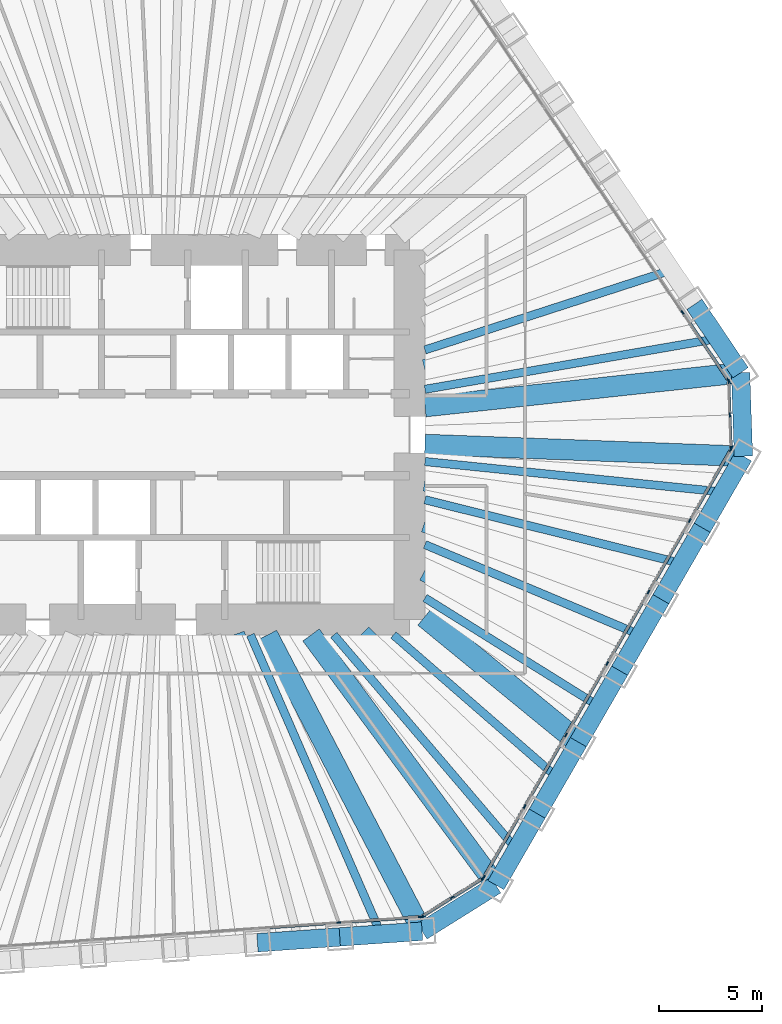
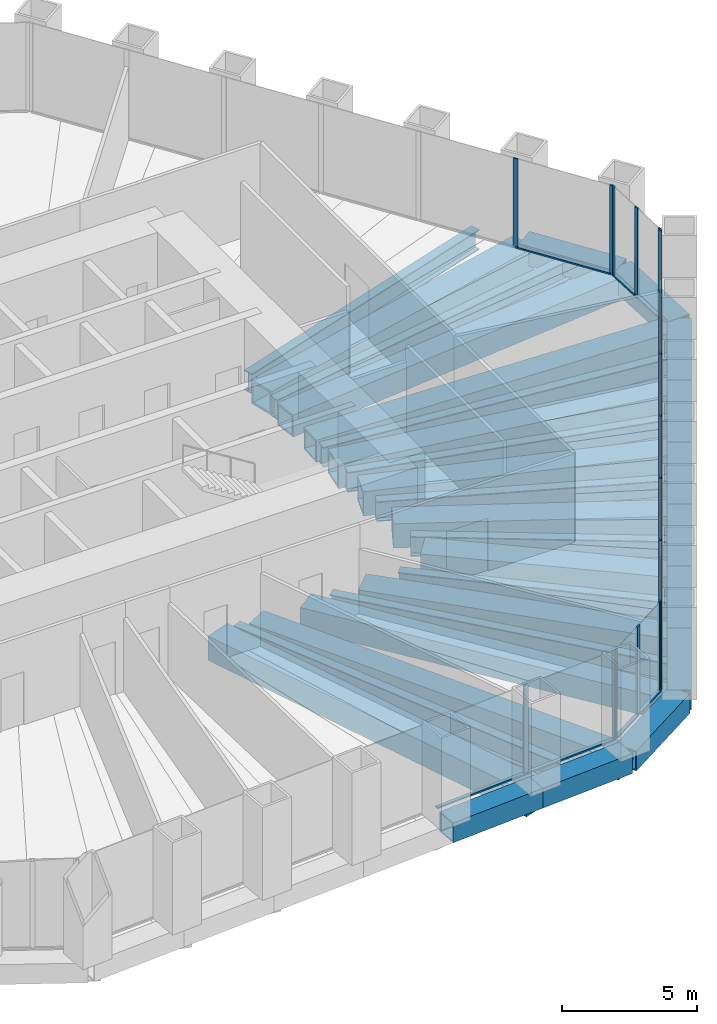
# One storey, part 4 of 12: 31 beams, 30 members, 5 elements without a shape of their own.
"""IFC4 building model written with IfcOpenShell, lengths in metres."""

from ifc_helpers import new_model, si_unit, direction, frame, origin, origin_2d, place, context, subcontext, project, spatial, rectangle, hollow_rectangle, i_section, extrude, material, material_profile, profile_set, type_object, element, aggregate, save


model = new_model("IFC4")

# Units and contexts
model_context = context("Model", 3, precision=1e-05, world=origin(), true_north=direction((0.0, 1.0)))
body_context = subcontext(model_context, "Body", "Model", "MODEL_VIEW")
ifc_project = project(units=[si_unit("LENGTHUNIT", "METRE"), si_unit("AREAUNIT", "SQUARE_METRE"), si_unit("VOLUMEUNIT", "CUBIC_METRE"), si_unit("PLANEANGLEUNIT", "RADIAN"), si_unit("MASSUNIT", "GRAM", prefix="KILO")], contexts=[model_context])

# Site, building, storey
site_placement = place(None, origin())
site = spatial("IfcSite", under=ifc_project, at=site_placement, CompositionType="ELEMENT")
building_placement = place(site_placement, origin())
building = spatial("IfcBuilding", under=site, at=building_placement, Name="Qingtian Harvest Tower", CompositionType="ELEMENT")
storey_placement = place(building_placement, frame((0.0, 0.0, 107.199951171875)))
storey = spatial("IfcBuildingStorey", under=building, at=storey_placement, Name="L21", CompositionType="ELEMENT", Elevation=107.199951171875)

# Beams
ifc_material_1 = material(Name="Steel SN490B", Category="steel")
ifc_material_profile_1 = material_profile(ifc_material_1, i_section(OverallWidth=0.39990234375, OverallDepth=0.89990234375, WebThickness=0.01904296875, FlangeThickness=0.035888671875, at=origin_2d()), Name="H900x400x19x36")
ifc_profile_set_1 = profile_set([ifc_material_profile_1], Name="Steel SN490B")
beam_type_1 = type_object("IfcBeamType", Name="Floor joist J4 H900x400x19x36", PredefinedType="JOIST", material=ifc_profile_set_1)
beam_1_placement = place(storey_placement, frame((24.748291015625, 8.016357421875, -0.619873046875), z_axis=(-0.951335907519, -0.308155790249, 0.0), x_axis=(0.308155790249, -0.951335907519, 0.0)))
element("IfcBeam", 1, at=beam_1_placement, inside=storey, type_object=beam_type_1, Name="Floor joist J4 NE4", PredefinedType="JOIST", context=body_context, shape_type="SweptSolid", body=[
    extrude(i_section(OverallWidth=0.39990234375, OverallDepth=0.89990234375, WebThickness=0.01904296875, FlangeThickness=0.035888671875, at=origin_2d()), origin(), (0.0, 0.0, 1.0), 12.612060546875),
])
beam_2_placement = place(storey_placement, frame((26.99560546875, 4.6845703125, -0.619873046875), z_axis=(-0.985273903188, -0.17098343691, 0.0), x_axis=(0.17098343691, -0.985273903188, 0.0)))
element("IfcBeam", 2, at=beam_2_placement, inside=storey, type_object=beam_type_1, Name="Floor joist J4 NE5", PredefinedType="JOIST", context=body_context, shape_type="SweptSolid", body=[
    extrude(i_section(OverallWidth=0.39990234375, OverallDepth=0.89990234375, WebThickness=0.01904296875, FlangeThickness=0.035888671875, at=origin_2d()), origin(), (0.0, 0.0, 1.0), 14.45849609375),
])
beam_3_placement = place(storey_placement, frame((27.2568359375, -2.7900390625, -0.619873046875), z_axis=(-0.994802418411, 0.101824104826, 0.0), x_axis=(-0.101824104826, -0.994802418411, 0.0)))
element("IfcBeam", 3, at=beam_3_placement, inside=storey, type_object=beam_type_1, Name="Floor joist J4 SE0", PredefinedType="JOIST", context=body_context, shape_type="SweptSolid", body=[
    extrude(i_section(OverallWidth=0.39990234375, OverallDepth=0.89990234375, WebThickness=0.01904296875, FlangeThickness=0.035888671875, at=origin_2d()), origin(), (0.0, 0.0, 1.0), 14.58251953125),
])
beam_4_placement = place(storey_placement, frame((25.247314453125, -6.2705078125, -0.619873046875), z_axis=(-0.970517179244, 0.241031958032, 0.0), x_axis=(-0.241031958032, -0.970517179244, 0.0)))
element("IfcBeam", 4, at=beam_4_placement, inside=storey, type_object=beam_type_1, Name="Floor joist J4 SE1", PredefinedType="JOIST", context=body_context, shape_type="SweptSolid", body=[
    extrude(i_section(OverallWidth=0.39990234375, OverallDepth=0.89990234375, WebThickness=0.01904296875, FlangeThickness=0.035888671875, at=origin_2d()), origin(), (0.0, 0.0, 1.0), 12.876953125),
])
beam_5_placement = place(storey_placement, frame((23.237548828125, -9.751220703125, -0.619873046875), z_axis=(-0.922104219626, 0.386941608189, 0.0), x_axis=(-0.386941608189, -0.922104219626, 0.0)))
element("IfcBeam", 5, at=beam_5_placement, inside=storey, type_object=beam_type_1, Name="Floor joist J4 SE2", PredefinedType="JOIST", context=body_context, shape_type="SweptSolid", body=[
    extrude(i_section(OverallWidth=0.39990234375, OverallDepth=0.89990234375, WebThickness=0.01904296875, FlangeThickness=0.035888671875, at=origin_2d()), origin(), (0.0, 0.0, 1.0), 11.37353515625),
])
beam_6_placement = place(storey_placement, frame((21.22802734375, -13.23193359375, -0.619873046875), z_axis=(-0.848631984892, 0.528983699389, 0.0), x_axis=(-0.528983699389, -0.848631984892, 0.0)))
element("IfcBeam", 6, at=beam_6_placement, inside=storey, type_object=beam_type_1, Name="Floor joist J4 SE3", PredefinedType="JOIST", context=body_context, shape_type="SweptSolid", body=[
    extrude(i_section(OverallWidth=0.39990234375, OverallDepth=0.89990234375, WebThickness=0.01904296875, FlangeThickness=0.035888671875, at=origin_2d()), origin(), (0.0, 0.0, 1.0), 9.990234375),
])
beam_7_placement = place(storey_placement, frame((19.218505859375, -16.71240234375, -0.619873046875), z_axis=(-0.754588679317, 0.656198083697, 0.0), x_axis=(-0.656198083697, -0.754588679317, 0.0)))
element("IfcBeam", 7, at=beam_7_placement, inside=storey, type_object=beam_type_1, Name="Floor joist J4 SE4", PredefinedType="JOIST", context=body_context, shape_type="SweptSolid", body=[
    extrude(i_section(OverallWidth=0.39990234375, OverallDepth=0.89990234375, WebThickness=0.01904296875, FlangeThickness=0.035888671875, at=origin_2d()), origin(), (0.0, 0.0, 1.0), 10.610107421875),
])
beam_8_placement = place(storey_placement, frame((17.208984375, -20.193115234375, -0.619873046875), z_axis=(-0.648631797865, 0.76110235238, 0.0), x_axis=(-0.76110235238, -0.648631797865, 0.0)))
element("IfcBeam", 8, at=beam_8_placement, inside=storey, type_object=beam_type_1, Name="Floor joist J4 SE5", PredefinedType="JOIST", context=body_context, shape_type="SweptSolid", body=[
    extrude(i_section(OverallWidth=0.39990234375, OverallDepth=0.89990234375, WebThickness=0.01904296875, FlangeThickness=0.035888671875, at=origin_2d()), origin(), (0.0, 0.0, 1.0), 13.720947265625),
])
beam_9_placement = place(storey_placement, frame((10.60546875, -24.3193359375, -0.619873046875), z_axis=(-0.399732363577, 0.916631898588, 0.0), x_axis=(-0.916631898588, -0.399732363577, 0.0)))
element("IfcBeam", 9, at=beam_9_placement, inside=storey, type_object=beam_type_1, Name="Floor joist J4 S0", PredefinedType="JOIST", context=body_context, shape_type="SweptSolid", body=[
    extrude(i_section(OverallWidth=0.39990234375, OverallDepth=0.89990234375, WebThickness=0.01904296875, FlangeThickness=0.035888671875, at=origin_2d()), origin(), (0.0, 0.0, 1.0), 15.89453125),
])

# Curtain wall, members
ifc_material_2 = material(Name="Bronze-anodised aluminium curtain wall", Category="aluminium")
curtain_wall_type = type_object("IfcCurtainWallType", Name="Curtain wall CW4 office", PredefinedType="USERDEFINED", material=ifc_material_2)
curtain_wall_1_placement = place(storey_placement, origin())
curtain_wall_1 = element("IfcCurtainWall", 10, at=curtain_wall_1_placement, inside=storey, type_object=curtain_wall_type, Name="Curtain wall CW4 L21 NE0-5", ObjectType="RECESSED CURTAIN WALL", PredefinedType="USERDEFINED")
ifc_material_3 = material(Name="Bronze-anodised aluminium mullion", Category="aluminium")
ifc_material_profile_2 = material_profile(ifc_material_3, rectangle(XDim=0.06494140625, YDim=0.199951171875, at=origin_2d()), Name="AL 65x200")
ifc_profile_set_2 = profile_set([ifc_material_profile_2], Name="Bronze-anodised aluminium mullion")
member_type_1 = type_object("IfcMemberType", Name="Mullion CWM 65x200", PredefinedType="MULLION", material=ifc_profile_set_2)
member_1_placement = place(storey_placement, frame((25.291748046875, 5.958984375, 0.0), z_axis=(0.0, 0.0, 1.0), x_axis=(0.829037572555, 0.559192903471, 0.0)))
member_1 = element("IfcMember", 11, at=member_1_placement, type_object=member_type_1, Name="CW4 mullion 6", PredefinedType="MULLION", context=body_context, shape_type="SweptSolid", body=[
    extrude(rectangle(XDim=0.06494140625, YDim=0.199951171875, at=origin_2d()), origin(), (0.0, 0.0, 1.0), 4.030029296875),
])
member_2_placement = place(storey_placement, frame((27.52099609375, 2.654052734375, 0.0), z_axis=(0.0, 0.0, 1.0), x_axis=(0.829037572555, 0.559192903471, 0.0)))
member_2 = element("IfcMember", 12, at=member_2_placement, type_object=member_type_1, Name="CW4 mullion 7", PredefinedType="MULLION", context=body_context, shape_type="SweptSolid", body=[
    extrude(rectangle(XDim=0.06494140625, YDim=0.199951171875, at=origin_2d()), origin(), (0.0, 0.0, 1.0), 4.030029296875),
])

curtain_wall_2_placement = place(storey_placement, origin())
curtain_wall_2 = element("IfcCurtainWall", 13, at=curtain_wall_2_placement, inside=storey, type_object=curtain_wall_type, Name="Curtain wall CW4 L21 NEC", ObjectType="RECESSED CURTAIN WALL", PredefinedType="USERDEFINED")
member_3_placement = place(storey_placement, frame((27.540283203125, 2.594482421875, 0.0), z_axis=(0.0, 0.0, 1.0), x_axis=(0.999390827019, 0.034899496703, 0.0)))
member_3 = element("IfcMember", 14, at=member_3_placement, type_object=member_type_1, Name="CW4 mullion 1", PredefinedType="MULLION", context=body_context, shape_type="SweptSolid", body=[
    extrude(rectangle(XDim=0.06494140625, YDim=0.199951171875, at=origin_2d()), origin(), (0.0, 0.0, 1.0), 4.030029296875),
])
member_4_placement = place(storey_placement, frame((27.59716796875, 0.963623046875, 0.0), z_axis=(0.0, 0.0, 1.0), x_axis=(0.999390827019, 0.034899496703, 0.0)))
member_4 = element("IfcMember", 15, at=member_4_placement, type_object=member_type_1, Name="CW4 mullion 2", PredefinedType="MULLION", context=body_context, shape_type="SweptSolid", body=[
    extrude(rectangle(XDim=0.06494140625, YDim=0.199951171875, at=origin_2d()), origin(), (0.0, 0.0, 1.0), 4.030029296875),
])
member_5_placement = place(storey_placement, frame((27.654052734375, -0.667236328125, 0.0), z_axis=(0.0, 0.0, 1.0), x_axis=(0.999390827019, 0.034899496703, 0.0)))
member_5 = element("IfcMember", 16, at=member_5_placement, type_object=member_type_1, Name="CW4 mullion 3", PredefinedType="MULLION", context=body_context, shape_type="SweptSolid", body=[
    extrude(rectangle(XDim=0.06494140625, YDim=0.199951171875, at=origin_2d()), origin(), (0.0, 0.0, 1.0), 4.030029296875),
])

curtain_wall_3_placement = place(storey_placement, origin())
curtain_wall_3 = element("IfcCurtainWall", 17, at=curtain_wall_3_placement, inside=storey, type_object=curtain_wall_type, Name="Curtain wall CW4 L21 SE0-5", ObjectType="RECESSED CURTAIN WALL", PredefinedType="USERDEFINED")
member_6_placement = place(storey_placement, frame((27.638916015625, -0.727783203125, 0.0), z_axis=(0.0, 0.0, 1.0), x_axis=(0.866025403784, -0.5, 0.0)))
member_6 = element("IfcMember", 18, at=member_6_placement, type_object=member_type_1, Name="CW4 mullion 1", PredefinedType="MULLION", context=body_context, shape_type="SweptSolid", body=[
    extrude(rectangle(XDim=0.06494140625, YDim=0.199951171875, at=origin_2d()), origin(), (0.0, 0.0, 1.0), 4.030029296875),
])
member_7_placement = place(storey_placement, frame((25.645751953125, -4.18017578125, 0.0), z_axis=(0.0, 0.0, 1.0), x_axis=(0.866025403784, -0.5, 0.0)))
member_7 = element("IfcMember", 19, at=member_7_placement, type_object=member_type_1, Name="CW4 mullion 2", PredefinedType="MULLION", context=body_context, shape_type="SweptSolid", body=[
    extrude(rectangle(XDim=0.06494140625, YDim=0.199951171875, at=origin_2d()), origin(), (0.0, 0.0, 1.0), 4.030029296875),
])
member_8_placement = place(storey_placement, frame((23.63623046875, -7.660888671875, 0.0), z_axis=(0.0, 0.0, 1.0), x_axis=(0.866025403784, -0.5, 0.0)))
member_8 = element("IfcMember", 20, at=member_8_placement, type_object=member_type_1, Name="CW4 mullion 3", PredefinedType="MULLION", context=body_context, shape_type="SweptSolid", body=[
    extrude(rectangle(XDim=0.06494140625, YDim=0.199951171875, at=origin_2d()), origin(), (0.0, 0.0, 1.0), 4.030029296875),
])
member_9_placement = place(storey_placement, frame((21.626708984375, -11.1416015625, 0.0), z_axis=(0.0, 0.0, 1.0), x_axis=(0.866025403784, -0.5, 0.0)))
member_9 = element("IfcMember", 21, at=member_9_placement, type_object=member_type_1, Name="CW4 mullion 4", PredefinedType="MULLION", context=body_context, shape_type="SweptSolid", body=[
    extrude(rectangle(XDim=0.06494140625, YDim=0.199951171875, at=origin_2d()), origin(), (0.0, 0.0, 1.0), 4.030029296875),
])
member_10_placement = place(storey_placement, frame((19.6171875, -14.6220703125, 0.0), z_axis=(0.0, 0.0, 1.0), x_axis=(0.866025403784, -0.5, 0.0)))
member_10 = element("IfcMember", 22, at=member_10_placement, type_object=member_type_1, Name="CW4 mullion 5", PredefinedType="MULLION", context=body_context, shape_type="SweptSolid", body=[
    extrude(rectangle(XDim=0.06494140625, YDim=0.199951171875, at=origin_2d()), origin(), (0.0, 0.0, 1.0), 4.030029296875),
])
member_11_placement = place(storey_placement, frame((17.607666015625, -18.102783203125, 0.0), z_axis=(0.0, 0.0, 1.0), x_axis=(0.866025403784, -0.5, 0.0)))
member_11 = element("IfcMember", 23, at=member_11_placement, type_object=member_type_1, Name="CW4 mullion 6", PredefinedType="MULLION", context=body_context, shape_type="SweptSolid", body=[
    extrude(rectangle(XDim=0.06494140625, YDim=0.199951171875, at=origin_2d()), origin(), (0.0, 0.0, 1.0), 4.030029296875),
])
member_12_placement = place(storey_placement, frame((15.6142578125, -21.55517578125, 0.0), z_axis=(0.0, 0.0, 1.0), x_axis=(0.866025403784, -0.5, 0.0)))
member_12 = element("IfcMember", 24, at=member_12_placement, type_object=member_type_1, Name="CW4 mullion 7", PredefinedType="MULLION", context=body_context, shape_type="SweptSolid", body=[
    extrude(rectangle(XDim=0.06494140625, YDim=0.199951171875, at=origin_2d()), origin(), (0.0, 0.0, 1.0), 4.030029296875),
])

curtain_wall_4_placement = place(storey_placement, origin())
curtain_wall_4 = element("IfcCurtainWall", 25, at=curtain_wall_4_placement, inside=storey, type_object=curtain_wall_type, Name="Curtain wall CW4 L21 SEC", ObjectType="RECESSED CURTAIN WALL", PredefinedType="USERDEFINED")
member_13_placement = place(storey_placement, frame((15.570556640625, -21.6005859375, 0.0), z_axis=(0.0, 0.0, 1.0), x_axis=(0.529919264233, -0.848048096156, 0.0)))
member_13 = element("IfcMember", 26, at=member_13_placement, type_object=member_type_1, Name="CW4 mullion 1", PredefinedType="MULLION", context=body_context, shape_type="SweptSolid", body=[
    extrude(rectangle(XDim=0.06494140625, YDim=0.199951171875, at=origin_2d()), origin(), (0.0, 0.0, 1.0), 4.030029296875),
])
member_14_placement = place(storey_placement, frame((14.07958984375, -22.5322265625, 0.0), z_axis=(0.0, 0.0, 1.0), x_axis=(0.529919264233, -0.848048096156, 0.0)))
member_14 = element("IfcMember", 27, at=member_14_placement, type_object=member_type_1, Name="CW4 mullion 2", PredefinedType="MULLION", context=body_context, shape_type="SweptSolid", body=[
    extrude(rectangle(XDim=0.06494140625, YDim=0.199951171875, at=origin_2d()), origin(), (0.0, 0.0, 1.0), 4.030029296875),
])
member_15_placement = place(storey_placement, frame((12.5888671875, -23.4638671875, 0.0), z_axis=(0.0, 0.0, 1.0), x_axis=(0.529919264233, -0.848048096156, 0.0)))
member_15 = element("IfcMember", 28, at=member_15_placement, type_object=member_type_1, Name="CW4 mullion 3", PredefinedType="MULLION", context=body_context, shape_type="SweptSolid", body=[
    extrude(rectangle(XDim=0.06494140625, YDim=0.199951171875, at=origin_2d()), origin(), (0.0, 0.0, 1.0), 4.030029296875),
])

curtain_wall_5_placement = place(storey_placement, origin())
curtain_wall_5 = element("IfcCurtainWall", 29, at=curtain_wall_5_placement, inside=storey, type_object=curtain_wall_type, Name="Curtain wall CW4 L21 S0-5", ObjectType="RECESSED CURTAIN WALL", PredefinedType="USERDEFINED")
member_16_placement = place(storey_placement, frame((12.52880859375, -23.483154296875, 0.0), z_axis=(0.0, 0.0, 1.0), x_axis=(0.069756473744, -0.99756405026, 0.0)))
member_16 = element("IfcMember", 30, at=member_16_placement, type_object=member_type_1, Name="CW4 mullion 1", PredefinedType="MULLION", context=body_context, shape_type="SweptSolid", body=[
    extrude(rectangle(XDim=0.06494140625, YDim=0.199951171875, at=origin_2d()), origin(), (0.0, 0.0, 1.0), 4.030029296875),
])
member_17_placement = place(storey_placement, frame((8.552001953125, -23.76123046875, 0.0), z_axis=(0.0, 0.0, 1.0), x_axis=(0.069756473744, -0.99756405026, 0.0)))
member_17 = element("IfcMember", 31, at=member_17_placement, type_object=member_type_1, Name="CW4 mullion 2", PredefinedType="MULLION", context=body_context, shape_type="SweptSolid", body=[
    extrude(rectangle(XDim=0.06494140625, YDim=0.199951171875, at=origin_2d()), origin(), (0.0, 0.0, 1.0), 4.030029296875),
])

# Beams
ifc_material_4 = material(Name="Steel SM570MC", Category="steel")
ifc_material_profile_3 = material_profile(ifc_material_4, hollow_rectangle(XDim=1.0, YDim=1.0, WallThickness=0.080078125, at=origin_2d()), Name="BOX1000x1000x80")
ifc_profile_set_3 = profile_set([ifc_material_profile_3], Name="Steel SM570MC")
beam_type_2 = type_object("IfcBeamType", Name="Transfer corner beam FB11 BOX1000x1000x80", PredefinedType="BEAM", material=ifc_profile_set_3)
beam_10_placement = place(storey_placement, frame((28.119384765625, 3.0185546875, -0.669921875), z_axis=(-0.994287324052, -0.106736672374, 0.0), x_axis=(0.106736672374, -0.994287324052, 0.0)))
element("IfcBeam", 32, at=beam_10_placement, inside=storey, type_object=beam_type_2, Name="Floor beam FB11 NE6", PredefinedType="BEAM", context=body_context, shape_type="SweptSolid", body=[
    extrude(hollow_rectangle(XDim=1.0, YDim=1.0, WallThickness=0.080078125, at=origin_2d()), origin(), (0.0, 0.0, 1.0), 15.457763671875),
])
beam_11_placement = place(storey_placement, frame((28.261474609375, -1.049560546875, -0.669921875), z_axis=(-0.999311425285, 0.03710357523, 0.0), x_axis=(-0.03710357523, -0.999311425285, 0.0)))
element("IfcBeam", 33, at=beam_11_placement, inside=storey, type_object=beam_type_2, Name="Floor beam FB11 SE0", PredefinedType="BEAM", context=body_context, shape_type="SweptSolid", body=[
    extrude(hollow_rectangle(XDim=1.0, YDim=1.0, WallThickness=0.080078125, at=origin_2d()), origin(), (0.0, 0.0, 1.0), 15.522216796875),
])
beam_12_placement = place(storey_placement, frame((16.204345703125, -21.933349609375, -0.669921875), z_axis=(-0.594215666968, 0.804305751023, 0.0), x_axis=(-0.804305751023, -0.594215666968, 0.0)))
element("IfcBeam", 34, at=beam_12_placement, inside=storey, type_object=beam_type_2, Name="Floor beam FB11 SE6", PredefinedType="BEAM", context=body_context, shape_type="SweptSolid", body=[
    extrude(hollow_rectangle(XDim=1.0, YDim=1.0, WallThickness=0.080078125, at=origin_2d()), origin(), (0.0, 0.0, 1.0), 15.147705078125),
])
beam_13_placement = place(storey_placement, frame((12.610107421875, -24.17919921875, -0.669921875), z_axis=(-0.462414751295, 0.886663745613, 0.0), x_axis=(-0.886663745613, -0.462414751295, 0.0)))
element("IfcBeam", 35, at=beam_13_placement, inside=storey, type_object=beam_type_2, Name="Floor beam FB11 S0", PredefinedType="BEAM", context=body_context, shape_type="SweptSolid", body=[
    extrude(hollow_rectangle(XDim=1.0, YDim=1.0, WallThickness=0.080078125, at=origin_2d()), origin(), (0.0, 0.0, 1.0), 16.273681640625),
])
ifc_material_5 = material(Name="Steel SM570MC", Category="steel")
ifc_material_profile_4 = material_profile(ifc_material_5, hollow_rectangle(XDim=1.10009765625, YDim=1.10009765625, WallThickness=0.10009765625, at=origin_2d()), Name="BOX1100x1100x100")
ifc_profile_set_4 = profile_set([ifc_material_profile_4], Name="Steel SM570MC")
beam_type_3 = type_object("IfcBeamType", Name="Transfer floor beam FB9 BOX1100x1100x100", PredefinedType="BEAM", material=ifc_profile_set_4)
beam_14_placement = place(storey_placement, frame((25.8720703125, 6.3505859375, -0.719970703125), z_axis=(-0.971170997483, -0.2383839207, 0.0), x_axis=(0.2383839207, -0.971170997483, 0.0)))
element("IfcBeam", 36, at=beam_14_placement, inside=storey, type_object=beam_type_3, Name="Floor beam FB9 NE5", PredefinedType="BEAM", context=body_context, shape_type="SweptSolid", body=[
    extrude(hollow_rectangle(XDim=1.10009765625, YDim=1.10009765625, WallThickness=0.10009765625, at=origin_2d()), origin(), (0.0, 0.0, 1.0), 13.511474609375),
])
beam_15_placement = place(storey_placement, frame((26.251953125, -4.5302734375, -0.719970703125), z_axis=(-0.985433767107, 0.170059667895, 0.0), x_axis=(-0.170059667895, -0.985433767107, 0.0)))
element("IfcBeam", 37, at=beam_15_placement, inside=storey, type_object=beam_type_3, Name="Floor beam FB9 SE1", PredefinedType="BEAM", context=body_context, shape_type="SweptSolid", body=[
    extrude(hollow_rectangle(XDim=1.10009765625, YDim=1.10009765625, WallThickness=0.10009765625, at=origin_2d()), origin(), (0.0, 0.0, 1.0), 13.701416015625),
])
beam_16_placement = place(storey_placement, frame((24.242431640625, -8.010986328125, -0.719970703125), z_axis=(-0.949497047328, 0.31377596644, 0.0), x_axis=(-0.31377596644, -0.949497047328, 0.0)))
element("IfcBeam", 38, at=beam_16_placement, inside=storey, type_object=beam_type_3, Name="Floor beam FB9 SE2", PredefinedType="BEAM", context=body_context, shape_type="SweptSolid", body=[
    extrude(hollow_rectangle(XDim=1.10009765625, YDim=1.10009765625, WallThickness=0.10009765625, at=origin_2d()), origin(), (0.0, 0.0, 1.0), 12.103759765625),
])
beam_17_placement = place(storey_placement, frame((22.23291015625, -11.491455078125, -0.719970703125), z_axis=(-0.888354700773, 0.459157843899, 0.0), x_axis=(-0.459157843899, -0.888354700773, 0.0)))
element("IfcBeam", 39, at=beam_17_placement, inside=storey, type_object=beam_type_3, Name="Floor beam FB9 SE3", PredefinedType="BEAM", context=body_context, shape_type="SweptSolid", body=[
    extrude(hollow_rectangle(XDim=1.10009765625, YDim=1.10009765625, WallThickness=0.10009765625, at=origin_2d()), origin(), (0.0, 0.0, 1.0), 10.6748046875),
])
beam_18_placement = place(storey_placement, frame((20.223388671875, -14.97216796875, -0.719970703125), z_axis=(-0.773577716445, 0.633701441233, 0.0), x_axis=(-0.633701441233, -0.773577716445, 0.0)))
element("IfcBeam", 40, at=beam_18_placement, inside=storey, type_object=beam_type_3, Name="Floor beam FB9 SE4", PredefinedType="BEAM", context=body_context, shape_type="SweptSolid", body=[
    extrude(hollow_rectangle(XDim=1.10009765625, YDim=1.10009765625, WallThickness=0.10009765625, at=origin_2d()), origin(), (0.0, 0.0, 1.0), 9.660888671875),
])
beam_19_placement = place(storey_placement, frame((18.2138671875, -18.452880859375, -0.719970703125), z_axis=(-0.702479751847, 0.711703729262, 0.0), x_axis=(-0.711703729262, -0.702479751847, 0.0)))
element("IfcBeam", 41, at=beam_19_placement, inside=storey, type_object=beam_type_3, Name="Floor beam FB9 SE5", PredefinedType="BEAM", context=body_context, shape_type="SweptSolid", body=[
    extrude(hollow_rectangle(XDim=1.10009765625, YDim=1.10009765625, WallThickness=0.10009765625, at=origin_2d()), origin(), (0.0, 0.0, 1.0), 12.228271484375),
])
beam_20_placement = place(storey_placement, frame((8.600830078125, -24.459716796875, -0.719970703125), z_axis=(-0.331719146802, 0.943378189087, 0.0), x_axis=(-0.943378189087, -0.331719146802, 0.0)))
element("IfcBeam", 42, at=beam_20_placement, inside=storey, type_object=beam_type_3, Name="Floor beam FB9 S1", PredefinedType="BEAM", context=body_context, shape_type="SweptSolid", body=[
    extrude(hollow_rectangle(XDim=1.10009765625, YDim=1.10009765625, WallThickness=0.10009765625, at=origin_2d()), origin(), (0.0, 0.0, 1.0), 15.592529296875),
])
ifc_material_6 = material(Name="Steel SM570MC", Category="steel")
ifc_material_profile_5 = material_profile(ifc_material_6, hollow_rectangle(XDim=0.89990234375, YDim=0.89990234375, WallThickness=0.050048828125, at=origin_2d()), Name="BOX900x900x50")
ifc_profile_set_5 = profile_set([ifc_material_profile_5], Name="Steel SM570MC")
beam_type_4 = type_object("IfcBeamType", Name="Transition spandrel SB6 BOX900x900x50", PredefinedType="SPANDREL", material=ifc_profile_set_5)
beam_21_placement = place(storey_placement, frame((25.8720703125, 6.3505859375, -0.449951171875), z_axis=(0.55916400171, -0.829057066306, 0.0), x_axis=(0.829057066306, 0.55916400171, 0.0)))
element("IfcBeam", 43, at=beam_21_placement, inside=storey, type_object=beam_type_4, Name="Spandrel SB6 NE5", PredefinedType="SPANDREL", context=body_context, shape_type="SweptSolid", body=[
    extrude(hollow_rectangle(XDim=0.89990234375, YDim=0.89990234375, WallThickness=0.050048828125, at=origin_2d()), origin(), (0.0, 0.0, 1.0), 4.01904296875),
])
beam_22_placement = place(storey_placement, frame((28.119384765625, 3.0185546875, -0.449951171875), z_axis=(0.03490639867, -0.999390585973, 0.0), x_axis=(0.999390585973, 0.03490639867, 0.0)))
element("IfcBeam", 44, at=beam_22_placement, inside=storey, type_object=beam_type_4, Name="Spandrel SB6 NEC", PredefinedType="SPANDREL", context=body_context, shape_type="SweptSolid", body=[
    extrude(hollow_rectangle(XDim=0.89990234375, YDim=0.89990234375, WallThickness=0.050048828125, at=origin_2d()), origin(), (0.0, 0.0, 1.0), 4.070556640625),
])
for number, where, z_axis, x_axis, name in (
    (45, (28.261474609375, -1.049560546875, -0.449951171875), (-0.499987116613, -0.866032841884, 0.0), (0.866032841884, -0.499987116613, 0.0), "Spandrel SB6 SE0"),
    (46, (26.251953125, -4.5302734375, -0.449951171875), (-0.499987116613, -0.866032841884, 0.0), (0.866032841884, -0.499987116613, 0.0), "Spandrel SB6 SE1"),
    (47, (24.242431640625, -8.010986328125, -0.449951171875), (-0.500013420409, -0.866017655369, 0.0), (0.866017655369, -0.500013420409, 0.0), "Spandrel SB6 SE2"),
    (48, (22.23291015625, -11.491455078125, -0.449951171875), (-0.499987116613, -0.866032841884, 0.0), (0.866032841884, -0.499987116613, 0.0), "Spandrel SB6 SE3"),
    (49, (20.223388671875, -14.97216796875, -0.449951171875), (-0.499987116613, -0.866032841884, 0.0), (0.866032841884, -0.499987116613, 0.0), "Spandrel SB6 SE4"),
    (50, (18.2138671875, -18.452880859375, -0.449951171875), (-0.500013420409, -0.866017655369, 0.0), (0.866017655369, -0.500013420409, 0.0), "Spandrel SB6 SE5"),
):
    element("IfcBeam", number, at=place(storey_placement, frame(where, z_axis=z_axis, x_axis=x_axis)), inside=storey, type_object=beam_type_4, Name=name, PredefinedType="SPANDREL", context=body_context, shape_type="SweptSolid", body=[
        extrude(hollow_rectangle(XDim=0.89990234375, YDim=0.89990234375, WallThickness=0.050048828125, at=origin_2d()), origin(), (0.0, 0.0, 1.0), 4.01904296875),
    ])
beam_23_placement = place(storey_placement, frame((16.204345703125, -21.933349609375, -0.449951171875), z_axis=(-0.848056550838, -0.529905733675, 0.0), x_axis=(0.529905733675, -0.848056550838, 0.0)))
element("IfcBeam", 51, at=beam_23_placement, inside=storey, type_object=beam_type_4, Name="Spandrel SB6 SEC", PredefinedType="SPANDREL", context=body_context, shape_type="SweptSolid", body=[
    extrude(hollow_rectangle(XDim=0.89990234375, YDim=0.89990234375, WallThickness=0.050048828125, at=origin_2d()), origin(), (0.0, 0.0, 1.0), 4.23828125),
])
for number, where, z_axis, x_axis, name in (
    (52, (12.610107421875, -24.17919921875, -0.449951171875), (-0.997561251588, -0.069796485086, 0.0), (0.069796485086, -0.997561251588, 0.0), "Spandrel SB6 S0"),
    (53, (8.600830078125, -24.459716796875, -0.449951171875), (-0.997565479251, -0.069736035208, 0.0), (0.069736035208, -0.997565479251, 0.0), "Spandrel SB6 S1"),
):
    element("IfcBeam", number, at=place(storey_placement, frame(where, z_axis=z_axis, x_axis=x_axis)), inside=storey, type_object=beam_type_4, Name=name, PredefinedType="SPANDREL", context=body_context, shape_type="SweptSolid", body=[
        extrude(hollow_rectangle(XDim=0.89990234375, YDim=0.89990234375, WallThickness=0.050048828125, at=origin_2d()), origin(), (0.0, 0.0, 1.0), 4.01904296875),
    ])

# Member
ifc_material_7 = material(Name="Bronze-anodised aluminium transom", Category="aluminium")
ifc_material_profile_6 = material_profile(ifc_material_7, rectangle(XDim=0.14990234375, YDim=0.06494140625, at=origin_2d()), Name="AL 65x150")
ifc_profile_set_6 = profile_set([ifc_material_profile_6], Name="Bronze-anodised aluminium transom")
member_type_2 = type_object("IfcMemberType", Name="Transom CWT 65x150", PredefinedType="USERDEFINED", material=ifc_profile_set_6)
member_18_placement = place(storey_placement, frame((25.309814453125, 5.93212890625, 0.032470703125), z_axis=(0.559174507936, -0.829049980203, 0.0), x_axis=(0.829049980203, 0.559174507936, 0.0)))
member_18 = element("IfcMember", 54, at=member_18_placement, type_object=member_type_2, Name="CW4 transom 6.1", ObjectType="TRANSOM", PredefinedType="USERDEFINED", context=body_context, shape_type="SweptSolid", body=[
    extrude(rectangle(XDim=0.14990234375, YDim=0.06494140625, at=origin_2d()), origin(), (0.0, 0.0, 1.0), 3.921630859375),
])

aggregate(curtain_wall_1, [member_1, member_2, member_18])

member_19_placement = place(storey_placement, frame((27.541259765625, 2.56201171875, 0.032470703125), z_axis=(0.034902326647, -0.999390728191, 0.0), x_axis=(0.999390728191, 0.034902326647, 0.0)))
member_19 = element("IfcMember", 55, at=member_19_placement, type_object=member_type_2, Name="CW4 transom 1.1", ObjectType="TRANSOM", PredefinedType="USERDEFINED", context=body_context, shape_type="SweptSolid", body=[
    extrude(rectangle(XDim=0.14990234375, YDim=0.06494140625, at=origin_2d()), origin(), (0.0, 0.0, 1.0), 1.56689453125),
])

member_20_placement = place(storey_placement, frame((27.598388671875, 0.93115234375, 0.032470703125), z_axis=(0.034902326647, -0.999390728191, 0.0), x_axis=(0.999390728191, 0.034902326647, 0.0)))
member_20 = element("IfcMember", 56, at=member_20_placement, type_object=member_type_2, Name="CW4 transom 2.1", ObjectType="TRANSOM", PredefinedType="USERDEFINED", context=body_context, shape_type="SweptSolid", body=[
    extrude(rectangle(XDim=0.14990234375, YDim=0.06494140625, at=origin_2d()), origin(), (0.0, 0.0, 1.0), 1.56689453125),
])

aggregate(curtain_wall_2, [member_3, member_4, member_5, member_19, member_20])

member_21_placement = place(storey_placement, frame((27.622802734375, -0.755859375, 0.032470703125), z_axis=(-0.499975738995, -0.866039410429, 0.0), x_axis=(0.866039410429, -0.499975738995, 0.0)))
member_21 = element("IfcMember", 57, at=member_21_placement, type_object=member_type_2, Name="CW4 transom 1.1", ObjectType="TRANSOM", PredefinedType="USERDEFINED", context=body_context, shape_type="SweptSolid", body=[
    extrude(rectangle(XDim=0.14990234375, YDim=0.06494140625, at=origin_2d()), origin(), (0.0, 0.0, 1.0), 3.921630859375),
])

member_22_placement = place(storey_placement, frame((25.62939453125, -4.20849609375, 0.032470703125), z_axis=(-0.500003941941, -0.866023127892, 0.0), x_axis=(0.866023127892, -0.500003941941, 0.0)))
member_22 = element("IfcMember", 58, at=member_22_placement, type_object=member_type_2, Name="CW4 transom 2.1", ObjectType="TRANSOM", PredefinedType="USERDEFINED", context=body_context, shape_type="SweptSolid", body=[
    extrude(rectangle(XDim=0.14990234375, YDim=0.06494140625, at=origin_2d()), origin(), (0.0, 0.0, 1.0), 3.9541015625),
])

member_23_placement = place(storey_placement, frame((23.619873046875, -7.68896484375, 0.032470703125), z_axis=(-0.500003941941, -0.866023127892, 0.0), x_axis=(0.866023127892, -0.500003941941, 0.0)))
member_23 = element("IfcMember", 59, at=member_23_placement, type_object=member_type_2, Name="CW4 transom 3.1", ObjectType="TRANSOM", PredefinedType="USERDEFINED", context=body_context, shape_type="SweptSolid", body=[
    extrude(rectangle(XDim=0.14990234375, YDim=0.06494140625, at=origin_2d()), origin(), (0.0, 0.0, 1.0), 3.9541015625),
])

member_24_placement = place(storey_placement, frame((21.6103515625, -11.169677734375, 0.032470703125), z_axis=(-0.500003941941, -0.866023127892, 0.0), x_axis=(0.866023127892, -0.500003941941, 0.0)))
member_24 = element("IfcMember", 60, at=member_24_placement, type_object=member_type_2, Name="CW4 transom 4.1", ObjectType="TRANSOM", PredefinedType="USERDEFINED", context=body_context, shape_type="SweptSolid", body=[
    extrude(rectangle(XDim=0.14990234375, YDim=0.06494140625, at=origin_2d()), origin(), (0.0, 0.0, 1.0), 3.9541015625),
])

member_25_placement = place(storey_placement, frame((19.600830078125, -14.650390625, 0.032470703125), z_axis=(-0.500003941941, -0.866023127892, 0.0), x_axis=(0.866023127892, -0.500003941941, 0.0)))
member_25 = element("IfcMember", 61, at=member_25_placement, type_object=member_type_2, Name="CW4 transom 5.1", ObjectType="TRANSOM", PredefinedType="USERDEFINED", context=body_context, shape_type="SweptSolid", body=[
    extrude(rectangle(XDim=0.14990234375, YDim=0.06494140625, at=origin_2d()), origin(), (0.0, 0.0, 1.0), 3.9541015625),
])

member_26_placement = place(storey_placement, frame((17.59130859375, -18.130859375, 0.032470703125), z_axis=(-0.499975738995, -0.866039410429, 0.0), x_axis=(0.866039410429, -0.499975738995, 0.0)))
member_26 = element("IfcMember", 62, at=member_26_placement, type_object=member_type_2, Name="CW4 transom 6.1", ObjectType="TRANSOM", PredefinedType="USERDEFINED", context=body_context, shape_type="SweptSolid", body=[
    extrude(rectangle(XDim=0.14990234375, YDim=0.06494140625, at=origin_2d()), origin(), (0.0, 0.0, 1.0), 3.921630859375),
])

aggregate(curtain_wall_3, [member_6, member_7, member_8, member_9, member_10, member_11, member_12, member_21, member_22, member_23, member_24, member_25, member_26])

member_27_placement = place(storey_placement, frame((15.54296875, -21.617919921875, 0.032470703125), z_axis=(-0.848103609743, -0.529830413568, 0.0), x_axis=(0.529830413568, -0.848103609743, 0.0)))
member_27 = element("IfcMember", 63, at=member_27_placement, type_object=member_type_2, Name="CW4 transom 1.1", ObjectType="TRANSOM", PredefinedType="USERDEFINED", context=body_context, shape_type="SweptSolid", body=[
    extrude(rectangle(XDim=0.14990234375, YDim=0.06494140625, at=origin_2d()), origin(), (0.0, 0.0, 1.0), 1.69287109375),
])

member_28_placement = place(storey_placement, frame((14.052001953125, -22.54931640625, 0.032470703125), z_axis=(-0.847998304005, -0.529998940003, 0.0), x_axis=(0.529998940003, -0.847998304005, 0.0)))
member_28 = element("IfcMember", 64, at=member_28_placement, type_object=member_type_2, Name="CW4 transom 2.1", ObjectType="TRANSOM", PredefinedType="USERDEFINED", context=body_context, shape_type="SweptSolid", body=[
    extrude(rectangle(XDim=0.14990234375, YDim=0.06494140625, at=origin_2d()), origin(), (0.0, 0.0, 1.0), 1.69287109375),
])

aggregate(curtain_wall_4, [member_13, member_14, member_15, member_27, member_28])

member_29_placement = place(storey_placement, frame((12.496337890625, -23.485595703125, 0.032470703125), z_axis=(-0.99756594446, -0.069729380128, 0.0), x_axis=(0.069729380128, -0.99756594446, 0.0)))
member_29 = element("IfcMember", 65, at=member_29_placement, type_object=member_type_2, Name="CW4 transom 1.1", ObjectType="TRANSOM", PredefinedType="USERDEFINED", context=body_context, shape_type="SweptSolid", body=[
    extrude(rectangle(XDim=0.14990234375, YDim=0.06494140625, at=origin_2d()), origin(), (0.0, 0.0, 1.0), 3.92138671875),
])

member_30_placement = place(storey_placement, frame((8.51953125, -23.763671875, 0.032470703125), z_axis=(-0.997567218353, -0.069711153102, 0.0), x_axis=(0.069711153102, -0.997567218353, 0.0)))
member_30 = element("IfcMember", 66, at=member_30_placement, type_object=member_type_2, Name="CW4 transom 2.1", ObjectType="TRANSOM", PredefinedType="USERDEFINED", context=body_context, shape_type="SweptSolid", body=[
    extrude(rectangle(XDim=0.14990234375, YDim=0.06494140625, at=origin_2d()), origin(), (0.0, 0.0, 1.0), 3.953857421875),
])

aggregate(curtain_wall_5, [member_16, member_17, member_29, member_30])

save(model, "model.ifc")
